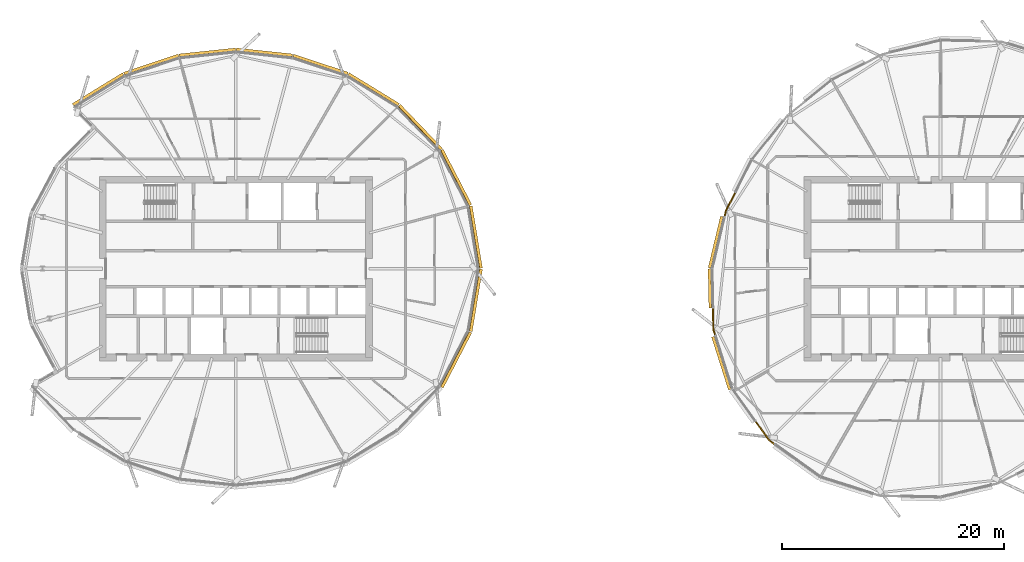
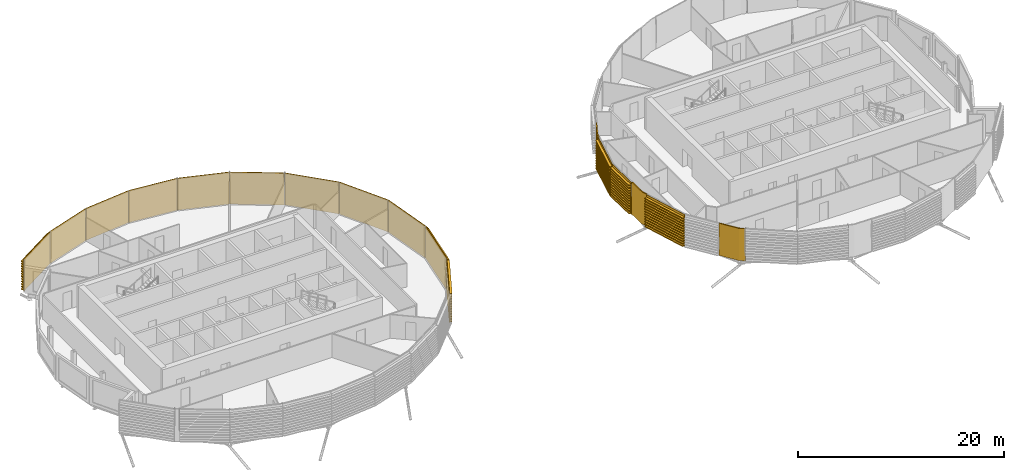
# One storey, part 33 of 36: 17 coverings.
"""IFC4 building model written with IfcOpenShell, lengths in metres."""

import ifcopenshell
import ifcopenshell.guid

model = None  # the IFC model being written
_history = None  # IfcOwnerHistory: only IFC2X3 demands one
_inside = {}  # id of a spatial element -> (the spatial element, [elements in it])
_under = {}  # id of a project, library or spatial element -> (it, [spatial elements below it])
_declared = {}  # id of a project -> (the project, [libraries it declares])
_typed = {}  # id of a type object -> (the type object, [elements of that type])
_made_of = {}  # id of a material, layer set ... -> (it, [elements and type objects made of it])


def new_model(schema):
    """Start an empty IFC model of exactly this schema.

    Asked for "IFC4X3", IfcOpenShell would pick the latest addendum, in which some entities
    have other attributes; the version numbers below select the first issue.
    IFC2X3 requires an IfcOwnerHistory on every rooted entity: one is made here for all.
    """
    global model, _history
    if schema == "IFC4X3":
        model = ifcopenshell.file(schema_version=(4, 3, 0, 0))
    else:
        model = ifcopenshell.file(schema=schema)
    _inside.clear()
    _under.clear()
    _declared.clear()
    _typed.clear()
    _made_of.clear()
    _history = None
    if model.schema == "IFC2X3":
        org = make("IfcOrganization", Name="unknown")
        user = make(
            "IfcPersonAndOrganization",
            ThePerson=make("IfcPerson", FamilyName="unknown"),
            TheOrganization=org,
        )
        app = make(
            "IfcApplication",
            ApplicationDeveloper=org,
            Version="unknown",
            ApplicationFullName="unknown",
            ApplicationIdentifier="unknown",
        )
        _history = make(
            "IfcOwnerHistory",
            OwningUser=user,
            OwningApplication=app,
            ChangeAction="ADDED",
            CreationDate=0,
        )
    return model


def make(cls, **values):
    """One entity of the class cls with the attributes given. An attribute that is None is left unset."""
    return model.create_entity(
        cls, **{name: value for name, value in values.items() if value is not None}
    )


def rooted(cls, **values):
    """An entity with a GlobalId (a new one), such as an element, a storey or a relation."""
    return make(cls, GlobalId=ifcopenshell.guid.new(), OwnerHistory=_history, **values)


def si_unit(unit_type, name, prefix=None):
    """IfcSIUnit, for example si_unit("LENGTHUNIT", "METRE", prefix="MILLI")."""
    return make("IfcSIUnit", UnitType=unit_type, Prefix=prefix, Name=name)


def assignment(units):
    """IfcUnitAssignment: the units of a project."""
    return None if units is None else make("IfcUnitAssignment", Units=units)


def point(xyz):
    """IfcCartesianPoint."""
    return None if xyz is None else make("IfcCartesianPoint", Coordinates=xyz)


def direction(xyz):
    """IfcDirection."""
    return None if xyz is None else make("IfcDirection", DirectionRatios=xyz)


def frame(location, z_axis=None, x_axis=None):
    """IfcAxis2Placement3D, a coordinate frame: its origin and axes. An axis left out is left unset."""
    return make(
        "IfcAxis2Placement3D",
        Location=point(location),
        Axis=direction(z_axis),
        RefDirection=direction(x_axis),
    )


def origin():
    """The frame at (0, 0, 0) with its axes left unset."""
    return frame((0.0, 0.0, 0.0))


def place(relative_to, where):
    """IfcLocalPlacement: puts the frame where relative to a parent placement (None: the world)."""
    return make(
        "IfcLocalPlacement", PlacementRelTo=relative_to, RelativePlacement=where
    )


def context(
    kind, dimensions, precision=None, world=None, true_north=None, identifier=None
):
    """IfcGeometricRepresentationContext, for example the 3D "Model" context."""
    return make(
        "IfcGeometricRepresentationContext",
        ContextIdentifier=identifier,
        ContextType=kind,
        CoordinateSpaceDimension=dimensions,
        Precision=precision,
        WorldCoordinateSystem=world,
        TrueNorth=true_north,
    )


def subcontext(parent, identifier, kind, view, scale=None):
    """IfcGeometricRepresentationSubContext, for example "Body" below "Model"."""
    return make(
        "IfcGeometricRepresentationSubContext",
        ContextIdentifier=identifier,
        ContextType=kind,
        ParentContext=parent,
        TargetScale=scale,
        TargetView=view,
    )


def project(units=None, contexts=None):
    """IfcProject with its units and contexts."""
    return rooted(
        "IfcProject",
        Name="project",
        RepresentationContexts=contexts,
        UnitsInContext=assignment(units),
    )


def spatial(cls, under=None, at=None, **own):
    """A site, building, storey or space (cls), placed at a placement, below another one or the project."""
    s = rooted(cls, ObjectPlacement=at, **own)
    if under is not None:
        _under.setdefault(under.id(), (under, []))[1].append(s)
    return s


def polyline(points):
    """IfcPolyline through the points."""
    return make("IfcPolyline", Points=[point(p) for p in points])


def outline(outer, holes=None, kind="AREA"):
    """IfcArbitraryClosedProfileDef: a profile drawn as a closed curve; with holes, ...WithVoids."""
    if holes is None:
        return make("IfcArbitraryClosedProfileDef", ProfileType=kind, OuterCurve=outer)
    return make(
        "IfcArbitraryProfileDefWithVoids",
        ProfileType=kind,
        OuterCurve=outer,
        InnerCurves=holes,
    )


def extrude(swept, where, along, depth):
    """IfcExtrudedAreaSolid: the profile swept, set in the frame where, extruded along a direction by depth."""
    return make(
        "IfcExtrudedAreaSolid",
        SweptArea=swept,
        Position=where,
        ExtrudedDirection=direction(along),
        Depth=depth,
    )


def shape(context_of_items, identifier, shape_type, items):
    """IfcShapeRepresentation: the items that make up one representation, for example the "Body"."""
    return make(
        "IfcShapeRepresentation",
        ContextOfItems=context_of_items,
        RepresentationIdentifier=identifier,
        RepresentationType=shape_type,
        Items=items,
    )


def material(Name=None, Category=None):
    """IfcMaterial."""
    return make("IfcMaterial", Name=Name, Category=Category)


def layer(
    of_material, thickness, ventilated=None, Name=None, Category=None, Priority=None
):
    """IfcMaterialLayer: one layer of a wall or slab, of a material (None: an air gap)."""
    return make(
        "IfcMaterialLayer",
        Material=of_material,
        LayerThickness=thickness,
        IsVentilated=ventilated,
        Name=Name,
        Category=Category,
        Priority=Priority,
    )


def layer_set(layers, Name=None):
    """IfcMaterialLayerSet."""
    return make("IfcMaterialLayerSet", MaterialLayers=layers, LayerSetName=Name)


def material_profile(
    of_material, cross_section, Name=None, Category=None, Priority=None
):
    """IfcMaterialProfile: a cross section and its material."""
    return make(
        "IfcMaterialProfile",
        Name=Name,
        Material=of_material,
        Profile=cross_section,
        Priority=Priority,
        Category=Category,
    )


def profile_set(profiles, Name=None, composite=None):
    """IfcMaterialProfileSet."""
    return make(
        "IfcMaterialProfileSet",
        Name=Name,
        MaterialProfiles=profiles,
        CompositeProfile=composite,
    )


def made_of(thing, what):
    """Note that an element or type object is made of a material, layer set ...; save() writes the relation."""
    if what is not None:
        _made_of.setdefault(what.id(), (what, []))[1].append(thing)
    return thing


def type_object(cls, material=None, **own):
    """A type object (cls), such as IfcWallType, which elements share."""
    return made_of(rooted(cls, **own), material)


def element(
    cls,
    number,
    at=None,
    inside=None,
    cuts=None,
    type_object=None,
    material=None,
    context=None,
    identifier="Body",
    shape_type=None,
    held_by="IfcProductDefinitionShape",
    body=None,
    shapes=None,
    **own,
):
    """One element of the class cls, such as IfcWall. Its Tag is "e" and its number.

    at: its placement. inside: the storey or other place that contains it. cuts: it is an
    opening in that element (IfcRelVoidsElement). A single representation is given by context,
    identifier, shape_type and body (its items); several are given by shapes. held_by: the class
    of the entity that holds the representations. save() writes the other relations.
    """
    e = rooted(cls, Tag="e%d" % number, ObjectPlacement=at, **own)
    if body is not None:
        shapes = [shape(context, identifier, shape_type, body)]
    if shapes is not None:
        e.Representation = make(held_by, Representations=shapes)
    if inside is not None:
        _inside.setdefault(inside.id(), (inside, []))[1].append(e)
    if cuts is not None:
        rooted(
            "IfcRelVoidsElement", RelatingBuildingElement=cuts, RelatedOpeningElement=e
        )
    if type_object is not None:
        _typed.setdefault(type_object.id(), (type_object, []))[1].append(e)
    return made_of(e, material)


def aggregate(whole, parts):
    """IfcRelAggregates: a whole, such as a stair, and the parts it consists of."""
    return rooted("IfcRelAggregates", RelatingObject=whole, RelatedObjects=parts)


def save(model, path):
    """Write the relations noted so far, then the file.

    IfcRelAggregates (storeys below a building ...), IfcRelContainedInSpatialStructure (elements
    in a storey), IfcRelDefinesByType, IfcRelAssociatesMaterial and IfcRelDeclares: one each for
    every whole, place, type object, material and project.
    """
    for whole, parts in _under.values():
        aggregate(whole, parts)
    for where, things in _inside.values():
        rooted(
            "IfcRelContainedInSpatialStructure",
            RelatedElements=things,
            RelatingStructure=where,
        )
    for kind, things in _typed.values():
        rooted("IfcRelDefinesByType", RelatedObjects=things, RelatingType=kind)
    for what, things in _made_of.values():
        rooted("IfcRelAssociatesMaterial", RelatedObjects=things, RelatingMaterial=what)
    for by, libraries in _declared.values():
        rooted("IfcRelDeclares", RelatingContext=by, RelatedDefinitions=libraries)
    model.write(path)


model = new_model("IFC4")

# Units and contexts
model_context = context("Model", 3, precision=1e-05, world=origin(), true_north=direction((0.0, 1.0)))
body_context = subcontext(model_context, "Body", "Model", "MODEL_VIEW")
ifc_project = project(units=[si_unit("LENGTHUNIT", "METRE"), si_unit("AREAUNIT", "SQUARE_METRE"), si_unit("VOLUMEUNIT", "CUBIC_METRE"), si_unit("PLANEANGLEUNIT", "RADIAN"), si_unit("MASSUNIT", "GRAM", prefix="KILO")], contexts=[model_context])

# Site, building, storey
site_placement = place(None, origin())
site = spatial("IfcSite", under=ifc_project, at=site_placement, CompositionType="ELEMENT")
building_placement = place(site_placement, origin())
building = spatial("IfcBuilding", under=site, at=building_placement, Name="Rimbun Link Towers", CompositionType="ELEMENT")
storey_placement = place(building_placement, frame((0.0, 0.0, 189.300048828125)))
storey = spatial("IfcBuildingStorey", under=building, at=storey_placement, Name="L46", CompositionType="ELEMENT", Elevation=189.300048828125)

# Coverings
ifc_material_1 = material(Name="Terracotta", Category="masonry")
ifc_layer = layer(ifc_material_1, 0.1201171875)
ifc_layer_set = layer_set([ifc_layer], Name="LINK PIER terracotta cladding 120")
covering_type_1 = type_object("IfcCoveringType", Name="LINK PIER terracotta cladding 120", PredefinedType="CLADDING", material=ifc_layer_set)
covering_1_placement = place(storey_placement, origin())
element("IfcCovering", 1, at=covering_1_placement, inside=storey, type_object=covering_type_1, Name="LINK PIER cladding", PredefinedType="CLADDING", context=body_context, shape_type="SweptSolid", body=[
    extrude(outline(polyline([(12.33154296875, 4.6650390625), (12.452392578125, 5.170654296875), (13.291748046875, 6.841796875), (13.1845703125, 6.895751953125), (12.339111328125, 5.212158203125), (12.21484375, 4.69287109375), (12.33154296875, 4.6650390625)])), origin(), (0.0, 0.0, 1.0), 3.800048828125),
])
covering_2_placement = place(storey_placement, origin())
element("IfcCovering", 2, at=covering_2_placement, inside=storey, type_object=covering_type_1, Name="LINK PIER cladding", PredefinedType="CLADDING", context=body_context, shape_type="SweptSolid", body=[
    extrude(outline(polyline([(11.50390625, -6.014404296875), (11.331298828125, -5.47119140625), (11.290771484375, -3.551513671875), (11.170654296875, -3.55419921875), (11.211669921875, -5.490966796875), (11.3896484375, -6.05078125), (11.50390625, -6.014404296875)])), origin(), (0.0, 0.0, 1.0), 3.800048828125),
])
covering_3_placement = place(storey_placement, origin())
element("IfcCovering", 3, at=covering_3_placement, inside=storey, type_object=covering_type_1, Name="LINK PIER cladding", PredefinedType="CLADDING", context=body_context, shape_type="SweptSolid", body=[
    extrude(outline(polyline([(16.838134765625, -15.777099609375), (16.33447265625, -15.41552734375), (15.12744140625, -13.73388671875), (15.030029296875, -13.8037109375), (16.248291015625, -15.501708984375), (16.76806640625, -15.87451171875), (16.838134765625, -15.777099609375)])), origin(), (0.0, 0.0, 1.0), 3.800048828125),
])
ifc_material_2 = material(Name="Terracotta", Category="masonry")
ifc_material_profile = material_profile(ifc_material_2, outline(polyline([(0.123046875, 0.0), (0.1630859375, 0.0), (0.1630859375, 0.10009765625), (0.423095703125, 0.10009765625), (0.423095703125, 0.219970703125), (0.1630859375, 0.219970703125), (0.1630859375, 0.39990234375), (0.423095703125, 0.39990234375), (0.423095703125, 0.52001953125), (0.1630859375, 0.52001953125), (0.1630859375, 0.699951171875), (0.423095703125, 0.699951171875), (0.423095703125, 0.820068359375), (0.1630859375, 0.820068359375), (0.1630859375, 1.0), (0.423095703125, 1.0), (0.423095703125, 1.1201171875), (0.1630859375, 1.1201171875), (0.1630859375, 1.300048828125), (0.423095703125, 1.300048828125), (0.423095703125, 1.419921875), (0.1630859375, 1.419921875), (0.1630859375, 1.60009765625), (0.423095703125, 1.60009765625), (0.423095703125, 1.719970703125), (0.1630859375, 1.719970703125), (0.1630859375, 1.89990234375), (0.423095703125, 1.89990234375), (0.423095703125, 2.02001953125), (0.1630859375, 2.02001953125), (0.1630859375, 2.199951171875), (0.423095703125, 2.199951171875), (0.423095703125, 2.320068359375), (0.1630859375, 2.320068359375), (0.1630859375, 2.5), (0.423095703125, 2.5), (0.423095703125, 2.6201171875), (0.1630859375, 2.6201171875), (0.1630859375, 2.800048828125), (0.423095703125, 2.800048828125), (0.423095703125, 2.919921875), (0.1630859375, 2.919921875), (0.1630859375, 3.10009765625), (0.423095703125, 3.10009765625), (0.423095703125, 3.219970703125), (0.1630859375, 3.219970703125), (0.1630859375, 3.39990234375), (0.423095703125, 3.39990234375), (0.423095703125, 3.52001953125), (0.1630859375, 3.52001953125), (0.1630859375, 3.800048828125), (0.123046875, 3.800048828125), (0.123046875, 0.0)])), Name="BAGUETTE 120X300")
ifc_profile_set = profile_set([ifc_material_profile], Name="Terracotta")
covering_type_2 = type_object("IfcCoveringType", Name="TERRACOTTA BAGUETTE 120X300 H3800", PredefinedType="CLADDING", material=ifc_profile_set)
covering_4_placement = place(storey_placement, frame((-10.868896484375, 5.594970703125, 0.0), z_axis=(0.162241058872, -0.986751153441, 0.0), x_axis=(0.986751153441, 0.162241058872, 0.0)))
element("IfcCovering", 4, at=covering_4_placement, inside=storey, type_object=covering_type_2, Name="TERRACOTTA BAGUETTE", PredefinedType="CLADDING", context=body_context, shape_type="SweptSolid", body=[
    extrude(outline(polyline([(0.123046875, 0.0), (0.1630859375, 0.0), (0.1630859375, 0.10009765625), (0.423095703125, 0.10009765625), (0.423095703125, 0.219970703125), (0.1630859375, 0.219970703125), (0.1630859375, 0.39990234375), (0.423095703125, 0.39990234375), (0.423095703125, 0.52001953125), (0.1630859375, 0.52001953125), (0.1630859375, 0.699951171875), (0.423095703125, 0.699951171875), (0.423095703125, 0.820068359375), (0.1630859375, 0.820068359375), (0.1630859375, 1.0), (0.423095703125, 1.0), (0.423095703125, 1.1201171875), (0.1630859375, 1.1201171875), (0.1630859375, 1.300048828125), (0.423095703125, 1.300048828125), (0.423095703125, 1.419921875), (0.1630859375, 1.419921875), (0.1630859375, 1.60009765625), (0.423095703125, 1.60009765625), (0.423095703125, 1.719970703125), (0.1630859375, 1.719970703125), (0.1630859375, 1.89990234375), (0.423095703125, 1.89990234375), (0.423095703125, 2.02001953125), (0.1630859375, 2.02001953125), (0.1630859375, 2.199951171875), (0.423095703125, 2.199951171875), (0.423095703125, 2.320068359375), (0.1630859375, 2.320068359375), (0.1630859375, 2.5), (0.423095703125, 2.5), (0.423095703125, 2.6201171875), (0.1630859375, 2.6201171875), (0.1630859375, 2.800048828125), (0.423095703125, 2.800048828125), (0.423095703125, 2.919921875), (0.1630859375, 2.919921875), (0.1630859375, 3.10009765625), (0.423095703125, 3.10009765625), (0.423095703125, 3.219970703125), (0.1630859375, 3.219970703125), (0.1630859375, 3.39990234375), (0.423095703125, 3.39990234375), (0.423095703125, 3.52001953125), (0.1630859375, 3.52001953125), (0.1630859375, 3.800048828125), (0.123046875, 3.800048828125), (0.123046875, 0.0)])), origin(), (0.0, 0.0, 1.0), 5.670166015625),
])
covering_5_placement = place(storey_placement, frame((-13.443115234375, 10.569580078125, 0.0), z_axis=(0.459584176023, -0.888134215729, 0.0), x_axis=(0.888134215729, 0.459584176023, 0.0)))
element("IfcCovering", 5, at=covering_5_placement, inside=storey, type_object=covering_type_2, Name="TERRACOTTA BAGUETTE", PredefinedType="CLADDING", context=body_context, shape_type="SweptSolid", body=[
    extrude(outline(polyline([(0.123046875, 0.0), (0.1630859375, 0.0), (0.1630859375, 0.10009765625), (0.423095703125, 0.10009765625), (0.423095703125, 0.219970703125), (0.1630859375, 0.219970703125), (0.1630859375, 0.39990234375), (0.423095703125, 0.39990234375), (0.423095703125, 0.52001953125), (0.1630859375, 0.52001953125), (0.1630859375, 0.699951171875), (0.423095703125, 0.699951171875), (0.423095703125, 0.820068359375), (0.1630859375, 0.820068359375), (0.1630859375, 1.0), (0.423095703125, 1.0), (0.423095703125, 1.1201171875), (0.1630859375, 1.1201171875), (0.1630859375, 1.300048828125), (0.423095703125, 1.300048828125), (0.423095703125, 1.419921875), (0.1630859375, 1.419921875), (0.1630859375, 1.60009765625), (0.423095703125, 1.60009765625), (0.423095703125, 1.719970703125), (0.1630859375, 1.719970703125), (0.1630859375, 1.89990234375), (0.423095703125, 1.89990234375), (0.423095703125, 2.02001953125), (0.1630859375, 2.02001953125), (0.1630859375, 2.199951171875), (0.423095703125, 2.199951171875), (0.423095703125, 2.320068359375), (0.1630859375, 2.320068359375), (0.1630859375, 2.5), (0.423095703125, 2.5), (0.423095703125, 2.6201171875), (0.1630859375, 2.6201171875), (0.1630859375, 2.800048828125), (0.423095703125, 2.800048828125), (0.423095703125, 2.919921875), (0.1630859375, 2.919921875), (0.1630859375, 3.10009765625), (0.423095703125, 3.10009765625), (0.423095703125, 3.219970703125), (0.1630859375, 3.219970703125), (0.1630859375, 3.39990234375), (0.423095703125, 3.39990234375), (0.423095703125, 3.52001953125), (0.1630859375, 3.52001953125), (0.1630859375, 3.800048828125), (0.123046875, 3.800048828125), (0.123046875, 0.0)])), origin(), (0.0, 0.0, 1.0), 5.60107421875),
])
covering_6_placement = place(storey_placement, frame((-17.230224609375, 14.519775390625, 0.0), z_axis=(0.692048759633, -0.721850756244, 0.0), x_axis=(0.721850756244, 0.692048759633, 0.0)))
element("IfcCovering", 6, at=covering_6_placement, inside=storey, type_object=covering_type_2, Name="TERRACOTTA BAGUETTE", PredefinedType="CLADDING", context=body_context, shape_type="SweptSolid", body=[
    extrude(outline(polyline([(0.123046875, 0.0), (0.1630859375, 0.0), (0.1630859375, 0.10009765625), (0.423095703125, 0.10009765625), (0.423095703125, 0.219970703125), (0.1630859375, 0.219970703125), (0.1630859375, 0.39990234375), (0.423095703125, 0.39990234375), (0.423095703125, 0.52001953125), (0.1630859375, 0.52001953125), (0.1630859375, 0.699951171875), (0.423095703125, 0.699951171875), (0.423095703125, 0.820068359375), (0.1630859375, 0.820068359375), (0.1630859375, 1.0), (0.423095703125, 1.0), (0.423095703125, 1.1201171875), (0.1630859375, 1.1201171875), (0.1630859375, 1.300048828125), (0.423095703125, 1.300048828125), (0.423095703125, 1.419921875), (0.1630859375, 1.419921875), (0.1630859375, 1.60009765625), (0.423095703125, 1.60009765625), (0.423095703125, 1.719970703125), (0.1630859375, 1.719970703125), (0.1630859375, 1.89990234375), (0.423095703125, 1.89990234375), (0.423095703125, 2.02001953125), (0.1630859375, 2.02001953125), (0.1630859375, 2.199951171875), (0.423095703125, 2.199951171875), (0.423095703125, 2.320068359375), (0.1630859375, 2.320068359375), (0.1630859375, 2.5), (0.423095703125, 2.5), (0.423095703125, 2.6201171875), (0.1630859375, 2.6201171875), (0.1630859375, 2.800048828125), (0.423095703125, 2.800048828125), (0.423095703125, 2.919921875), (0.1630859375, 2.919921875), (0.1630859375, 3.10009765625), (0.423095703125, 3.10009765625), (0.423095703125, 3.219970703125), (0.1630859375, 3.219970703125), (0.1630859375, 3.39990234375), (0.423095703125, 3.39990234375), (0.423095703125, 3.52001953125), (0.1630859375, 3.52001953125), (0.1630859375, 3.800048828125), (0.123046875, 3.800048828125), (0.123046875, 0.0)])), origin(), (0.0, 0.0, 1.0), 5.472412109375),
])
covering_7_placement = place(storey_placement, frame((-21.760986328125, 17.301513671875, 0.0), z_axis=(0.852197089735, -0.523220909604, 0.0), x_axis=(0.523220909604, 0.852197089735, 0.0)))
element("IfcCovering", 7, at=covering_7_placement, inside=storey, type_object=covering_type_2, Name="TERRACOTTA BAGUETTE", PredefinedType="CLADDING", context=body_context, shape_type="SweptSolid", body=[
    extrude(outline(polyline([(0.123046875, 0.0), (0.1630859375, 0.0), (0.1630859375, 0.10009765625), (0.423095703125, 0.10009765625), (0.423095703125, 0.219970703125), (0.1630859375, 0.219970703125), (0.1630859375, 0.39990234375), (0.423095703125, 0.39990234375), (0.423095703125, 0.52001953125), (0.1630859375, 0.52001953125), (0.1630859375, 0.699951171875), (0.423095703125, 0.699951171875), (0.423095703125, 0.820068359375), (0.1630859375, 0.820068359375), (0.1630859375, 1.0), (0.423095703125, 1.0), (0.423095703125, 1.1201171875), (0.1630859375, 1.1201171875), (0.1630859375, 1.300048828125), (0.423095703125, 1.300048828125), (0.423095703125, 1.419921875), (0.1630859375, 1.419921875), (0.1630859375, 1.60009765625), (0.423095703125, 1.60009765625), (0.423095703125, 1.719970703125), (0.1630859375, 1.719970703125), (0.1630859375, 1.89990234375), (0.423095703125, 1.89990234375), (0.423095703125, 2.02001953125), (0.1630859375, 2.02001953125), (0.1630859375, 2.199951171875), (0.423095703125, 2.199951171875), (0.423095703125, 2.320068359375), (0.1630859375, 2.320068359375), (0.1630859375, 2.5), (0.423095703125, 2.5), (0.423095703125, 2.6201171875), (0.1630859375, 2.6201171875), (0.1630859375, 2.800048828125), (0.423095703125, 2.800048828125), (0.423095703125, 2.919921875), (0.1630859375, 2.919921875), (0.1630859375, 3.10009765625), (0.423095703125, 3.10009765625), (0.423095703125, 3.219970703125), (0.1630859375, 3.219970703125), (0.1630859375, 3.39990234375), (0.423095703125, 3.39990234375), (0.423095703125, 3.52001953125), (0.1630859375, 3.52001953125), (0.1630859375, 3.800048828125), (0.123046875, 3.800048828125), (0.123046875, 0.0)])), origin(), (0.0, 0.0, 1.0), 5.316650390625),
])
covering_8_placement = place(storey_placement, frame((-26.677490234375, 18.930908203125, 0.0), z_axis=(0.949228659761, -0.314586953781, 0.0), x_axis=(0.314586953781, 0.949228659761, 0.0)))
element("IfcCovering", 8, at=covering_8_placement, inside=storey, type_object=covering_type_2, Name="TERRACOTTA BAGUETTE", PredefinedType="CLADDING", context=body_context, shape_type="SweptSolid", body=[
    extrude(outline(polyline([(0.123046875, 0.0), (0.1630859375, 0.0), (0.1630859375, 0.10009765625), (0.423095703125, 0.10009765625), (0.423095703125, 0.219970703125), (0.1630859375, 0.219970703125), (0.1630859375, 0.39990234375), (0.423095703125, 0.39990234375), (0.423095703125, 0.52001953125), (0.1630859375, 0.52001953125), (0.1630859375, 0.699951171875), (0.423095703125, 0.699951171875), (0.423095703125, 0.820068359375), (0.1630859375, 0.820068359375), (0.1630859375, 1.0), (0.423095703125, 1.0), (0.423095703125, 1.1201171875), (0.1630859375, 1.1201171875), (0.1630859375, 1.300048828125), (0.423095703125, 1.300048828125), (0.423095703125, 1.419921875), (0.1630859375, 1.419921875), (0.1630859375, 1.60009765625), (0.423095703125, 1.60009765625), (0.423095703125, 1.719970703125), (0.1630859375, 1.719970703125), (0.1630859375, 1.89990234375), (0.423095703125, 1.89990234375), (0.423095703125, 2.02001953125), (0.1630859375, 2.02001953125), (0.1630859375, 2.199951171875), (0.423095703125, 2.199951171875), (0.423095703125, 2.320068359375), (0.1630859375, 2.320068359375), (0.1630859375, 2.5), (0.423095703125, 2.5), (0.423095703125, 2.6201171875), (0.1630859375, 2.6201171875), (0.1630859375, 2.800048828125), (0.423095703125, 2.800048828125), (0.423095703125, 2.919921875), (0.1630859375, 2.919921875), (0.1630859375, 3.10009765625), (0.423095703125, 3.10009765625), (0.423095703125, 3.219970703125), (0.1630859375, 3.219970703125), (0.1630859375, 3.39990234375), (0.423095703125, 3.39990234375), (0.423095703125, 3.52001953125), (0.1630859375, 3.52001953125), (0.1630859375, 3.800048828125), (0.123046875, 3.800048828125), (0.123046875, 0.0)])), origin(), (0.0, 0.0, 1.0), 5.179443359375),
])
for number, where, z_axis, x_axis, name in (
    (9, (-31.75, 19.465087890625, 0.0), (0.994500730933, -0.104729633695, 0.0), (0.104729633695, 0.994500730933, 0.0), "TERRACOTTA BAGUETTE"),
    (10, (-36.822509765625, 18.930908203125, 0.0), (0.994500730933, 0.104729633695, 0.0), (-0.104729633695, 0.994500730933, 0.0), "TERRACOTTA BAGUETTE"),
):
    element("IfcCovering", number, at=place(storey_placement, frame(where, z_axis=z_axis, x_axis=x_axis)), inside=storey, type_object=covering_type_2, Name=name, PredefinedType="CLADDING", context=body_context, shape_type="SweptSolid", body=[
        extrude(outline(polyline([(0.123046875, 0.0), (0.1630859375, 0.0), (0.1630859375, 0.10009765625), (0.423095703125, 0.10009765625), (0.423095703125, 0.219970703125), (0.1630859375, 0.219970703125), (0.1630859375, 0.39990234375), (0.423095703125, 0.39990234375), (0.423095703125, 0.52001953125), (0.1630859375, 0.52001953125), (0.1630859375, 0.699951171875), (0.423095703125, 0.699951171875), (0.423095703125, 0.820068359375), (0.1630859375, 0.820068359375), (0.1630859375, 1.0), (0.423095703125, 1.0), (0.423095703125, 1.1201171875), (0.1630859375, 1.1201171875), (0.1630859375, 1.300048828125), (0.423095703125, 1.300048828125), (0.423095703125, 1.419921875), (0.1630859375, 1.419921875), (0.1630859375, 1.60009765625), (0.423095703125, 1.60009765625), (0.423095703125, 1.719970703125), (0.1630859375, 1.719970703125), (0.1630859375, 1.89990234375), (0.423095703125, 1.89990234375), (0.423095703125, 2.02001953125), (0.1630859375, 2.02001953125), (0.1630859375, 2.199951171875), (0.423095703125, 2.199951171875), (0.423095703125, 2.320068359375), (0.1630859375, 2.320068359375), (0.1630859375, 2.5), (0.423095703125, 2.5), (0.423095703125, 2.6201171875), (0.1630859375, 2.6201171875), (0.1630859375, 2.800048828125), (0.423095703125, 2.800048828125), (0.423095703125, 2.919921875), (0.1630859375, 2.919921875), (0.1630859375, 3.10009765625), (0.423095703125, 3.10009765625), (0.423095703125, 3.219970703125), (0.1630859375, 3.219970703125), (0.1630859375, 3.39990234375), (0.423095703125, 3.39990234375), (0.423095703125, 3.52001953125), (0.1630859375, 3.52001953125), (0.1630859375, 3.800048828125), (0.123046875, 3.800048828125), (0.123046875, 0.0)])), origin(), (0.0, 0.0, 1.0), 5.1005859375),
    ])
covering_9_placement = place(storey_placement, frame((-41.739013671875, 17.301513671875, 0.0), z_axis=(0.949228659761, 0.314586953781, 0.0), x_axis=(-0.314586953781, 0.949228659761, 0.0)))
element("IfcCovering", 11, at=covering_9_placement, inside=storey, type_object=covering_type_2, Name="TERRACOTTA BAGUETTE", PredefinedType="CLADDING", context=body_context, shape_type="SweptSolid", body=[
    extrude(outline(polyline([(0.123046875, 0.0), (0.1630859375, 0.0), (0.1630859375, 0.10009765625), (0.423095703125, 0.10009765625), (0.423095703125, 0.219970703125), (0.1630859375, 0.219970703125), (0.1630859375, 0.39990234375), (0.423095703125, 0.39990234375), (0.423095703125, 0.52001953125), (0.1630859375, 0.52001953125), (0.1630859375, 0.699951171875), (0.423095703125, 0.699951171875), (0.423095703125, 0.820068359375), (0.1630859375, 0.820068359375), (0.1630859375, 1.0), (0.423095703125, 1.0), (0.423095703125, 1.1201171875), (0.1630859375, 1.1201171875), (0.1630859375, 1.300048828125), (0.423095703125, 1.300048828125), (0.423095703125, 1.419921875), (0.1630859375, 1.419921875), (0.1630859375, 1.60009765625), (0.423095703125, 1.60009765625), (0.423095703125, 1.719970703125), (0.1630859375, 1.719970703125), (0.1630859375, 1.89990234375), (0.423095703125, 1.89990234375), (0.423095703125, 2.02001953125), (0.1630859375, 2.02001953125), (0.1630859375, 2.199951171875), (0.423095703125, 2.199951171875), (0.423095703125, 2.320068359375), (0.1630859375, 2.320068359375), (0.1630859375, 2.5), (0.423095703125, 2.5), (0.423095703125, 2.6201171875), (0.1630859375, 2.6201171875), (0.1630859375, 2.800048828125), (0.423095703125, 2.800048828125), (0.423095703125, 2.919921875), (0.1630859375, 2.919921875), (0.1630859375, 3.10009765625), (0.423095703125, 3.10009765625), (0.423095703125, 3.219970703125), (0.1630859375, 3.219970703125), (0.1630859375, 3.39990234375), (0.423095703125, 3.39990234375), (0.423095703125, 3.52001953125), (0.1630859375, 3.52001953125), (0.1630859375, 3.800048828125), (0.123046875, 3.800048828125), (0.123046875, 0.0)])), origin(), (0.0, 0.0, 1.0), 5.179443359375),
])
covering_10_placement = place(storey_placement, frame((-46.269775390625, 14.519775390625, 0.0), z_axis=(0.852197089735, 0.523220909604, 0.0), x_axis=(-0.523220909604, 0.852197089735, 0.0)))
element("IfcCovering", 12, at=covering_10_placement, inside=storey, type_object=covering_type_2, Name="TERRACOTTA BAGUETTE", PredefinedType="CLADDING", context=body_context, shape_type="SweptSolid", body=[
    extrude(outline(polyline([(0.123046875, 0.0), (0.1630859375, 0.0), (0.1630859375, 0.10009765625), (0.423095703125, 0.10009765625), (0.423095703125, 0.219970703125), (0.1630859375, 0.219970703125), (0.1630859375, 0.39990234375), (0.423095703125, 0.39990234375), (0.423095703125, 0.52001953125), (0.1630859375, 0.52001953125), (0.1630859375, 0.699951171875), (0.423095703125, 0.699951171875), (0.423095703125, 0.820068359375), (0.1630859375, 0.820068359375), (0.1630859375, 1.0), (0.423095703125, 1.0), (0.423095703125, 1.1201171875), (0.1630859375, 1.1201171875), (0.1630859375, 1.300048828125), (0.423095703125, 1.300048828125), (0.423095703125, 1.419921875), (0.1630859375, 1.419921875), (0.1630859375, 1.60009765625), (0.423095703125, 1.60009765625), (0.423095703125, 1.719970703125), (0.1630859375, 1.719970703125), (0.1630859375, 1.89990234375), (0.423095703125, 1.89990234375), (0.423095703125, 2.02001953125), (0.1630859375, 2.02001953125), (0.1630859375, 2.199951171875), (0.423095703125, 2.199951171875), (0.423095703125, 2.320068359375), (0.1630859375, 2.320068359375), (0.1630859375, 2.5), (0.423095703125, 2.5), (0.423095703125, 2.6201171875), (0.1630859375, 2.6201171875), (0.1630859375, 2.800048828125), (0.423095703125, 2.800048828125), (0.423095703125, 2.919921875), (0.1630859375, 2.919921875), (0.1630859375, 3.10009765625), (0.423095703125, 3.10009765625), (0.423095703125, 3.219970703125), (0.1630859375, 3.219970703125), (0.1630859375, 3.39990234375), (0.423095703125, 3.39990234375), (0.423095703125, 3.52001953125), (0.1630859375, 3.52001953125), (0.1630859375, 3.800048828125), (0.123046875, 3.800048828125), (0.123046875, 0.0)])), origin(), (0.0, 0.0, 1.0), 5.316650390625),
])
covering_11_placement = place(storey_placement, frame((-10.868896484375, -5.594970703125, 0.0), z_axis=(-0.459584176023, -0.888134215729, 0.0), x_axis=(0.888134215729, -0.459584176023, 0.0)))
element("IfcCovering", 13, at=covering_11_placement, inside=storey, type_object=covering_type_2, Name="TERRACOTTA BAGUETTE", PredefinedType="CLADDING", context=body_context, shape_type="SweptSolid", body=[
    extrude(outline(polyline([(0.123046875, 0.0), (0.1630859375, 0.0), (0.1630859375, 0.10009765625), (0.423095703125, 0.10009765625), (0.423095703125, 0.219970703125), (0.1630859375, 0.219970703125), (0.1630859375, 0.39990234375), (0.423095703125, 0.39990234375), (0.423095703125, 0.52001953125), (0.1630859375, 0.52001953125), (0.1630859375, 0.699951171875), (0.423095703125, 0.699951171875), (0.423095703125, 0.820068359375), (0.1630859375, 0.820068359375), (0.1630859375, 1.0), (0.423095703125, 1.0), (0.423095703125, 1.1201171875), (0.1630859375, 1.1201171875), (0.1630859375, 1.300048828125), (0.423095703125, 1.300048828125), (0.423095703125, 1.419921875), (0.1630859375, 1.419921875), (0.1630859375, 1.60009765625), (0.423095703125, 1.60009765625), (0.423095703125, 1.719970703125), (0.1630859375, 1.719970703125), (0.1630859375, 1.89990234375), (0.423095703125, 1.89990234375), (0.423095703125, 2.02001953125), (0.1630859375, 2.02001953125), (0.1630859375, 2.199951171875), (0.423095703125, 2.199951171875), (0.423095703125, 2.320068359375), (0.1630859375, 2.320068359375), (0.1630859375, 2.5), (0.423095703125, 2.5), (0.423095703125, 2.6201171875), (0.1630859375, 2.6201171875), (0.1630859375, 2.800048828125), (0.423095703125, 2.800048828125), (0.423095703125, 2.919921875), (0.1630859375, 2.919921875), (0.1630859375, 3.10009765625), (0.423095703125, 3.10009765625), (0.423095703125, 3.219970703125), (0.1630859375, 3.219970703125), (0.1630859375, 3.39990234375), (0.423095703125, 3.39990234375), (0.423095703125, 3.52001953125), (0.1630859375, 3.52001953125), (0.1630859375, 3.800048828125), (0.123046875, 3.800048828125), (0.123046875, 0.0)])), origin(), (0.0, 0.0, 1.0), 5.60107421875),
])
covering_12_placement = place(storey_placement, frame((-9.948974609375, 0.0, 0.0), z_axis=(-0.162241058872, -0.986751153441, 0.0), x_axis=(0.986751153441, -0.162241058872, 0.0)))
element("IfcCovering", 14, at=covering_12_placement, inside=storey, type_object=covering_type_2, Name="TERRACOTTA BAGUETTE", PredefinedType="CLADDING", context=body_context, shape_type="SweptSolid", body=[
    extrude(outline(polyline([(0.123046875, 0.0), (0.1630859375, 0.0), (0.1630859375, 0.10009765625), (0.423095703125, 0.10009765625), (0.423095703125, 0.219970703125), (0.1630859375, 0.219970703125), (0.1630859375, 0.39990234375), (0.423095703125, 0.39990234375), (0.423095703125, 0.52001953125), (0.1630859375, 0.52001953125), (0.1630859375, 0.699951171875), (0.423095703125, 0.699951171875), (0.423095703125, 0.820068359375), (0.1630859375, 0.820068359375), (0.1630859375, 1.0), (0.423095703125, 1.0), (0.423095703125, 1.1201171875), (0.1630859375, 1.1201171875), (0.1630859375, 1.300048828125), (0.423095703125, 1.300048828125), (0.423095703125, 1.419921875), (0.1630859375, 1.419921875), (0.1630859375, 1.60009765625), (0.423095703125, 1.60009765625), (0.423095703125, 1.719970703125), (0.1630859375, 1.719970703125), (0.1630859375, 1.89990234375), (0.423095703125, 1.89990234375), (0.423095703125, 2.02001953125), (0.1630859375, 2.02001953125), (0.1630859375, 2.199951171875), (0.423095703125, 2.199951171875), (0.423095703125, 2.320068359375), (0.1630859375, 2.320068359375), (0.1630859375, 2.5), (0.423095703125, 2.5), (0.423095703125, 2.6201171875), (0.1630859375, 2.6201171875), (0.1630859375, 2.800048828125), (0.423095703125, 2.800048828125), (0.423095703125, 2.919921875), (0.1630859375, 2.919921875), (0.1630859375, 3.10009765625), (0.423095703125, 3.10009765625), (0.423095703125, 3.219970703125), (0.1630859375, 3.219970703125), (0.1630859375, 3.39990234375), (0.423095703125, 3.39990234375), (0.423095703125, 3.52001953125), (0.1630859375, 3.52001953125), (0.1630859375, 3.800048828125), (0.123046875, 3.800048828125), (0.123046875, 0.0)])), origin(), (0.0, 0.0, 1.0), 5.670166015625),
])
covering_13_placement = place(storey_placement, frame((11.2158203125, 0.0, 0.0), z_axis=(0.232592171851, 0.972574357874, 0.0), x_axis=(-0.972574357874, 0.232592171851, 0.0)))
element("IfcCovering", 15, at=covering_13_placement, inside=storey, type_object=covering_type_2, Name="TERRACOTTA BAGUETTE", PredefinedType="CLADDING", context=body_context, shape_type="SweptSolid", body=[
    extrude(outline(polyline([(0.123046875, 0.0), (0.1630859375, 0.0), (0.1630859375, 0.10009765625), (0.423095703125, 0.10009765625), (0.423095703125, 0.219970703125), (0.1630859375, 0.219970703125), (0.1630859375, 0.39990234375), (0.423095703125, 0.39990234375), (0.423095703125, 0.52001953125), (0.1630859375, 0.52001953125), (0.1630859375, 0.699951171875), (0.423095703125, 0.699951171875), (0.423095703125, 0.820068359375), (0.1630859375, 0.820068359375), (0.1630859375, 1.0), (0.423095703125, 1.0), (0.423095703125, 1.1201171875), (0.1630859375, 1.1201171875), (0.1630859375, 1.300048828125), (0.423095703125, 1.300048828125), (0.423095703125, 1.419921875), (0.1630859375, 1.419921875), (0.1630859375, 1.60009765625), (0.423095703125, 1.60009765625), (0.423095703125, 1.719970703125), (0.1630859375, 1.719970703125), (0.1630859375, 1.89990234375), (0.423095703125, 1.89990234375), (0.423095703125, 2.02001953125), (0.1630859375, 2.02001953125), (0.1630859375, 2.199951171875), (0.423095703125, 2.199951171875), (0.423095703125, 2.320068359375), (0.1630859375, 2.320068359375), (0.1630859375, 2.5), (0.423095703125, 2.5), (0.423095703125, 2.6201171875), (0.1630859375, 2.6201171875), (0.1630859375, 2.800048828125), (0.423095703125, 2.800048828125), (0.423095703125, 2.919921875), (0.1630859375, 2.919921875), (0.1630859375, 3.10009765625), (0.423095703125, 3.10009765625), (0.423095703125, 3.219970703125), (0.1630859375, 3.219970703125), (0.1630859375, 3.39990234375), (0.423095703125, 3.39990234375), (0.423095703125, 3.52001953125), (0.1630859375, 3.52001953125), (0.1630859375, 3.800048828125), (0.123046875, 3.800048828125), (0.123046875, 0.0)])), origin(), (0.0, 0.0, 1.0), 4.766357421875),
])
covering_14_placement = place(storey_placement, frame((11.2900390625, -3.521728515625, 0.0), z_axis=(-0.021069844983, 0.999778006176, 0.0), x_axis=(-0.999778006176, -0.021069844983, 0.0)))
element("IfcCovering", 16, at=covering_14_placement, inside=storey, type_object=covering_type_2, Name="TERRACOTTA BAGUETTE", PredefinedType="CLADDING", context=body_context, shape_type="SweptSolid", body=[
    extrude(outline(polyline([(0.123046875, 0.0), (0.1630859375, 0.0), (0.1630859375, 0.10009765625), (0.423095703125, 0.10009765625), (0.423095703125, 0.219970703125), (0.1630859375, 0.219970703125), (0.1630859375, 0.39990234375), (0.423095703125, 0.39990234375), (0.423095703125, 0.52001953125), (0.1630859375, 0.52001953125), (0.1630859375, 0.699951171875), (0.423095703125, 0.699951171875), (0.423095703125, 0.820068359375), (0.1630859375, 0.820068359375), (0.1630859375, 1.0), (0.423095703125, 1.0), (0.423095703125, 1.1201171875), (0.1630859375, 1.1201171875), (0.1630859375, 1.300048828125), (0.423095703125, 1.300048828125), (0.423095703125, 1.419921875), (0.1630859375, 1.419921875), (0.1630859375, 1.60009765625), (0.423095703125, 1.60009765625), (0.423095703125, 1.719970703125), (0.1630859375, 1.719970703125), (0.1630859375, 1.89990234375), (0.423095703125, 1.89990234375), (0.423095703125, 2.02001953125), (0.1630859375, 2.02001953125), (0.1630859375, 2.199951171875), (0.423095703125, 2.199951171875), (0.423095703125, 2.320068359375), (0.1630859375, 2.320068359375), (0.1630859375, 2.5), (0.423095703125, 2.5), (0.423095703125, 2.6201171875), (0.1630859375, 2.6201171875), (0.1630859375, 2.800048828125), (0.423095703125, 2.800048828125), (0.423095703125, 2.919921875), (0.1630859375, 2.919921875), (0.1630859375, 3.10009765625), (0.423095703125, 3.10009765625), (0.423095703125, 3.219970703125), (0.1630859375, 3.219970703125), (0.1630859375, 3.39990234375), (0.423095703125, 3.39990234375), (0.423095703125, 3.52001953125), (0.1630859375, 3.52001953125), (0.1630859375, 3.800048828125), (0.123046875, 3.800048828125), (0.123046875, 0.0)])), origin(), (0.0, 0.0, 1.0), 3.5224609375),
])
covering_15_placement = place(storey_placement, frame((13.028564453125, -10.808837890625, 0.0), z_axis=(-0.303060589461, 0.952971289765, 0.0), x_axis=(-0.952971289765, -0.303060589461, 0.0)))
element("IfcCovering", 17, at=covering_15_placement, inside=storey, type_object=covering_type_2, Name="TERRACOTTA BAGUETTE", PredefinedType="CLADDING", context=body_context, shape_type="SweptSolid", body=[
    extrude(outline(polyline([(0.123046875, 0.0), (0.1630859375, 0.0), (0.1630859375, 0.10009765625), (0.423095703125, 0.10009765625), (0.423095703125, 0.219970703125), (0.1630859375, 0.219970703125), (0.1630859375, 0.39990234375), (0.423095703125, 0.39990234375), (0.423095703125, 0.52001953125), (0.1630859375, 0.52001953125), (0.1630859375, 0.699951171875), (0.423095703125, 0.699951171875), (0.423095703125, 0.820068359375), (0.1630859375, 0.820068359375), (0.1630859375, 1.0), (0.423095703125, 1.0), (0.423095703125, 1.1201171875), (0.1630859375, 1.1201171875), (0.1630859375, 1.300048828125), (0.423095703125, 1.300048828125), (0.423095703125, 1.419921875), (0.1630859375, 1.419921875), (0.1630859375, 1.60009765625), (0.423095703125, 1.60009765625), (0.423095703125, 1.719970703125), (0.1630859375, 1.719970703125), (0.1630859375, 1.89990234375), (0.423095703125, 1.89990234375), (0.423095703125, 2.02001953125), (0.1630859375, 2.02001953125), (0.1630859375, 2.199951171875), (0.423095703125, 2.199951171875), (0.423095703125, 2.320068359375), (0.1630859375, 2.320068359375), (0.1630859375, 2.5), (0.423095703125, 2.5), (0.423095703125, 2.6201171875), (0.1630859375, 2.6201171875), (0.1630859375, 2.800048828125), (0.423095703125, 2.800048828125), (0.423095703125, 2.919921875), (0.1630859375, 2.919921875), (0.1630859375, 3.10009765625), (0.423095703125, 3.10009765625), (0.423095703125, 3.219970703125), (0.1630859375, 3.219970703125), (0.1630859375, 3.39990234375), (0.423095703125, 3.39990234375), (0.423095703125, 3.52001953125), (0.1630859375, 3.52001953125), (0.1630859375, 3.800048828125), (0.123046875, 3.800048828125), (0.123046875, 0.0)])), origin(), (0.0, 0.0, 1.0), 5.0009765625),
])

save(model, "model.ifc")
